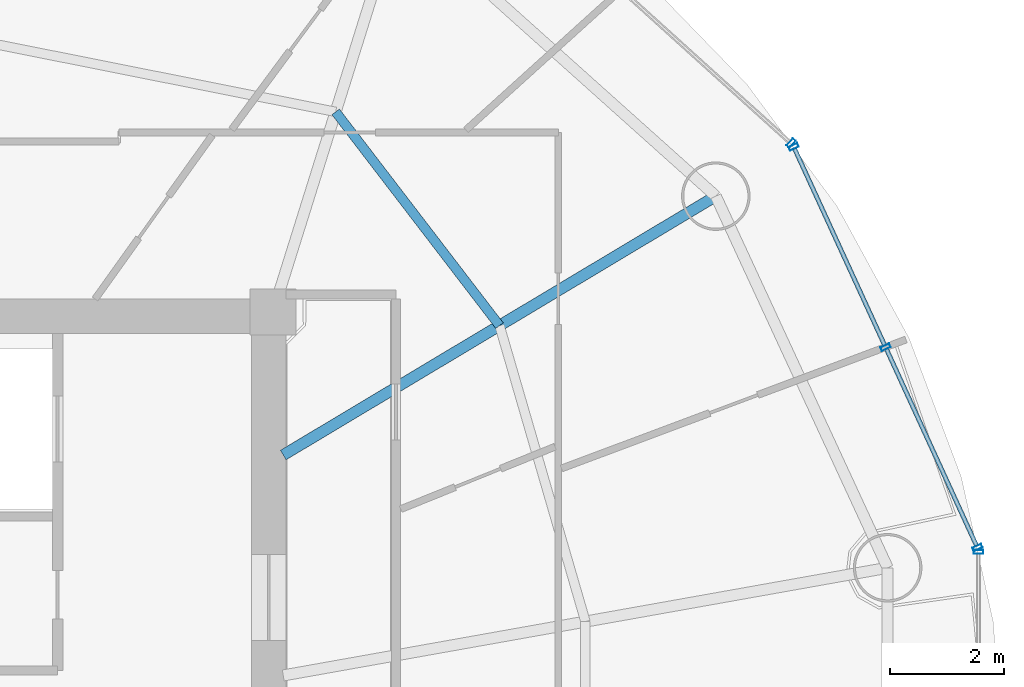
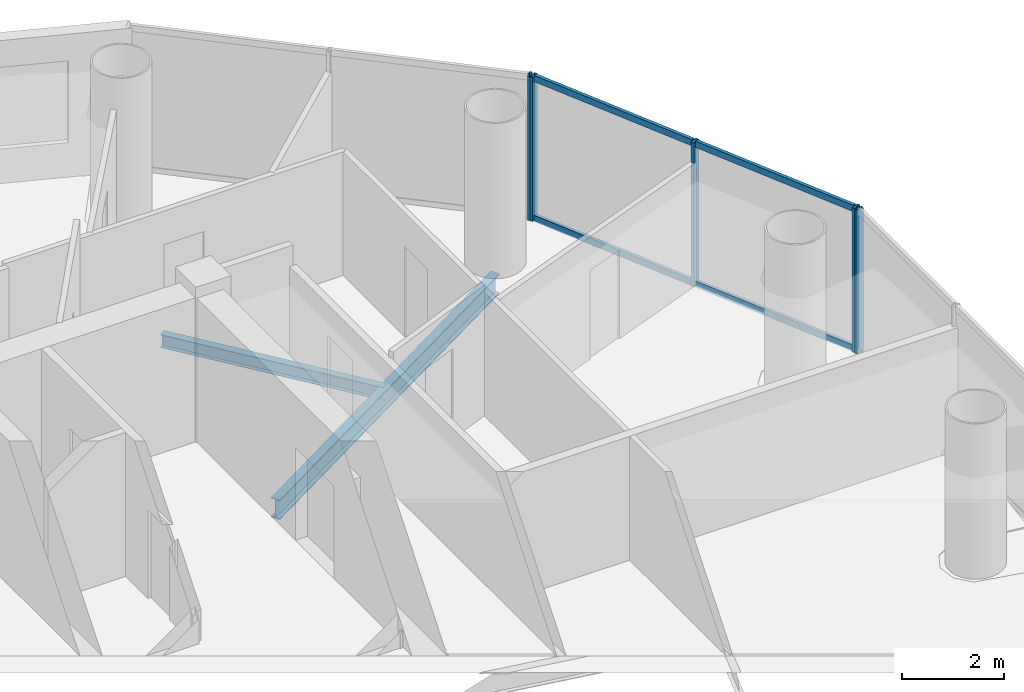
# One storey, part 13 of 26: 9 members, 2 beams, 3 elements without a shape of their own.
"""IFC4 building model written with IfcOpenShell, lengths in metres."""

from ifc_helpers import new_model, si_unit, direction, frame, origin, origin_2d, place, context, subcontext, project, spatial, hollow_rectangle, i_section, extrude, source, transform, mapped, material, material_profile, profile_set, type_object, element, aggregate, save


model = new_model("IFC4")

# Units and contexts
model_context = context("Model", 3, precision=1e-05, world=origin(), true_north=direction((-0.2419218956, 0.970295726276)))
body_context = subcontext(model_context, "Body", "Model", "MODEL_VIEW")
ifc_project = project(units=[si_unit("LENGTHUNIT", "METRE"), si_unit("AREAUNIT", "SQUARE_METRE"), si_unit("VOLUMEUNIT", "CUBIC_METRE"), si_unit("PLANEANGLEUNIT", "RADIAN"), si_unit("MASSUNIT", "GRAM", prefix="KILO")], contexts=[model_context])

# Site, building, storey
site_placement = place(None, origin())
site = spatial("IfcSite", under=ifc_project, at=site_placement, CompositionType="ELEMENT")
building_placement = place(site_placement, origin())
building = spatial("IfcBuilding", under=site, at=building_placement, Name="Cobrevalo Terracotta Tower", CompositionType="ELEMENT")
storey_placement = place(building_placement, frame((0.0, 0.0, 213.39990234375)))
storey = spatial("IfcBuildingStorey", under=building, at=storey_placement, Name="L56", CompositionType="ELEMENT", Elevation=213.39990234375)

# Beams
ifc_material_1 = material(Name="Steel S355", Category="steel")
ifc_material_profile_1 = material_profile(ifc_material_1, i_section(OverallWidth=0.194091796875, OverallDepth=0.468994140625, WebThickness=0.011474609375, FlangeThickness=0.0205078125, at=origin_2d()), Name="W 460x106")
ifc_profile_set_1 = profile_set([ifc_material_profile_1], Name="Steel S355")
beam_type_1 = type_object("IfcBeamType", Name="Structural Beam W 460x106 (Steel S355)", PredefinedType="BEAM", material=ifc_profile_set_1)
beam_1_placement = place(storey_placement, frame((54.754150390625, 36.828125, -0.49951171875), z_axis=(-0.858046392192, -0.513572184651, 0.0), x_axis=(0.513572184651, -0.858046392192, 0.0)))
element("IfcBeam", 1, at=beam_1_placement, inside=storey, type_object=beam_type_1, Name="L56 radial floor girder 02", PredefinedType="BEAM", context=body_context, shape_type="SweptSolid", body=[
    extrude(i_section(OverallWidth=0.194091796875, OverallDepth=0.468994140625, WebThickness=0.011474609375, FlangeThickness=0.0205078125, at=origin_2d()), origin(), (0.0, 0.0, 1.0), 8.827392578125),
])
ifc_material_profile_2 = material_profile(ifc_material_1, i_section(OverallWidth=0.1650390625, OverallDepth=0.31005859375, WebThickness=0.005859375, FlangeThickness=0.009765625, at=origin_2d()), Name="W 310x38.7")
ifc_profile_set_2 = profile_set([ifc_material_profile_2], Name="Steel S355")
beam_type_2 = type_object("IfcBeamType", Name="Structural Joist W 310x38.7 (Steel S355)", PredefinedType="JOIST", material=ifc_profile_set_2)
beam_2_placement = place(storey_placement, frame((50.967041015625, 34.561279296875, -0.419921875), z_axis=(-0.608464146296, 0.793581364872, 0.0), x_axis=(-0.793581364872, -0.608464146296, 0.0)))
element("IfcBeam", 2, at=beam_2_placement, inside=storey, type_object=beam_type_2, Name="L56 circumferential secondary floor joist 02", PredefinedType="JOIST", context=body_context, shape_type="SweptSolid", body=[
    extrude(i_section(OverallWidth=0.1650390625, OverallDepth=0.31005859375, WebThickness=0.005859375, FlangeThickness=0.009765625, at=origin_2d()), origin(), (0.0, 0.0, 1.0), 4.716064453125),
])

# Curtain wall, members
ifc_material_2 = material(Name="Anodized aluminium", Category="aluminium")
curtain_wall_type = type_object("IfcCurtainWallType", Name="Mid-tower high-wind unitised curtain wall CW-U2", PredefinedType="NOTDEFINED", material=ifc_material_2)
curtain_wall_1_placement = place(storey_placement, origin())
curtain_wall_1 = element("IfcCurtainWall", 3, at=curtain_wall_1_placement, inside=storey, type_object=curtain_wall_type, Name="L56 curtain wall CW-L56-S01", PredefinedType="NOTDEFINED")
ifc_material_profile_3 = material_profile(ifc_material_2, hollow_rectangle(XDim=0.074951171875, YDim=0.14990234375, WallThickness=0.00439453125, at=origin_2d()), Name="CWT 75x150")
ifc_profile_set_3 = profile_set([ifc_material_profile_3], Name="Anodized aluminium")
member_type_1 = type_object("IfcMemberType", Name="Tower unitised aluminium transom 75x150", PredefinedType="USERDEFINED", material=ifc_profile_set_3)
shared_shape_1 = source(origin(), body_context, "Body", "SweptSolid", [
    extrude(hollow_rectangle(XDim=0.074951171875, YDim=0.14990234375, WallThickness=0.00439453125, at=origin_2d()), origin(), (0.0, 0.0, 1.0), 3.780029296875),
])
member_1_placement = place(storey_placement, frame((59.318359375, 30.710205078125, 0.050048828125), z_axis=(-0.416705859352, 0.909041377926, 0.0), x_axis=(-0.909041377926, -0.416705859352, 0.0)))
member_1 = element("IfcMember", 4, at=member_1_placement, type_object=member_type_1, Name="CW-L56-S01 transom B01-T1", ObjectType="TRANSOM", PredefinedType="USERDEFINED", context=body_context, shape_type="MappedRepresentation", body=[
    mapped(shared_shape_1, transform((0.0, 0.0, 0.0), scale=1.0)),
])
member_2_placement = place(storey_placement, frame((59.318359375, 30.710205078125, 3.385009765625), z_axis=(-0.416705859352, 0.909041377926, 0.0), x_axis=(-0.909041377926, -0.416705859352, 0.0)))
member_2 = element("IfcMember", 5, at=member_2_placement, type_object=member_type_1, Name="CW-L56-S01 transom B01-T2", ObjectType="TRANSOM", PredefinedType="USERDEFINED", context=body_context, shape_type="MappedRepresentation", body=[
    mapped(shared_shape_1, transform((0.0, 0.0, 0.0), scale=1.0)),
])
member_3_placement = place(storey_placement, frame((57.709716796875, 34.218994140625, 0.050048828125), z_axis=(-0.416705859352, 0.909041377926, 0.0), x_axis=(-0.909041377926, -0.416705859352, 0.0)))
member_3 = element("IfcMember", 6, at=member_3_placement, type_object=member_type_1, Name="CW-L56-S01 transom B02-T1", ObjectType="TRANSOM", PredefinedType="USERDEFINED", context=body_context, shape_type="MappedRepresentation", body=[
    mapped(shared_shape_1, transform((0.0, 0.0, 0.0), scale=1.0)),
])
member_4_placement = place(storey_placement, frame((57.709716796875, 34.218994140625, 3.385009765625), z_axis=(-0.416705859352, 0.909041377926, 0.0), x_axis=(-0.909041377926, -0.416705859352, 0.0)))
member_4 = element("IfcMember", 7, at=member_4_placement, type_object=member_type_1, Name="CW-L56-S01 transom B02-T2", ObjectType="TRANSOM", PredefinedType="USERDEFINED", context=body_context, shape_type="MappedRepresentation", body=[
    mapped(shared_shape_1, transform((0.0, 0.0, 0.0), scale=1.0)),
])
ifc_material_profile_4 = material_profile(ifc_material_2, hollow_rectangle(XDim=0.070068359375, YDim=0.169921875, WallThickness=0.00439453125, at=origin_2d()), Name="CWM 70x170")
ifc_profile_set_4 = profile_set([ifc_material_profile_4], Name="Anodized aluminium")
member_type_2 = type_object("IfcMemberType", Name="Upper tower unitised mullion 70x170", PredefinedType="MULLION", material=ifc_profile_set_4)
shared_shape_2 = source(origin(), body_context, "Body", "SweptSolid", [
    extrude(hollow_rectangle(XDim=0.070068359375, YDim=0.169921875, WallThickness=0.00439453125, at=origin_2d()), origin(), (0.0, 0.0, 1.0), 3.43505859375),
])
member_5_placement = place(storey_placement, frame((59.3349609375, 30.673828125, 0.0), z_axis=(0.0, 0.0, 1.0), x_axis=(-0.41672507912, 0.909032567311, 0.0)))
member_5 = element("IfcMember", 8, at=member_5_placement, type_object=member_type_2, Name="CW-L56-S01 vertical mullion 01", PredefinedType="MULLION", context=body_context, shape_type="MappedRepresentation", body=[
    mapped(shared_shape_2, transform((0.0, 0.0, 0.0), scale=1.0)),
])
member_6_placement = place(storey_placement, frame((57.726318359375, 34.182861328125, 0.0), z_axis=(0.0, 0.0, 1.0), x_axis=(-0.41672507912, 0.909032567311, 0.0)))
member_6 = element("IfcMember", 9, at=member_6_placement, type_object=member_type_2, Name="CW-L56-S01 vertical mullion 02", PredefinedType="MULLION", context=body_context, shape_type="MappedRepresentation", body=[
    mapped(shared_shape_2, transform((0.0, 0.0, 0.0), scale=1.0)),
])
member_7_placement = place(storey_placement, frame((56.11767578125, 37.691650390625, 0.0), z_axis=(0.0, 0.0, 1.0), x_axis=(-0.41672507912, 0.909032567311, 0.0)))
member_7 = element("IfcMember", 10, at=member_7_placement, type_object=member_type_2, Name="CW-L56-S01 vertical mullion 03", PredefinedType="MULLION", context=body_context, shape_type="MappedRepresentation", body=[
    mapped(shared_shape_2, transform((0.0, 0.0, 0.0), scale=1.0)),
])
aggregate(curtain_wall_1, [member_5, member_6, member_7, member_1, member_2, member_3, member_4])

# Curtain wall, member
curtain_wall_2_placement = place(storey_placement, origin())
curtain_wall_2 = element("IfcCurtainWall", 11, at=curtain_wall_2_placement, inside=storey, type_object=curtain_wall_type, Name="L56 curtain wall CW-L56-S02", PredefinedType="NOTDEFINED")
member_8_placement = place(storey_placement, frame((56.071533203125, 37.7548828125, 0.0), z_axis=(0.0, 0.0, 1.0), x_axis=(-0.741987542015, 0.670413668935, 0.0)))
member_8 = element("IfcMember", 12, at=member_8_placement, type_object=member_type_2, Name="CW-L56-S02 vertical mullion 01", PredefinedType="MULLION", context=body_context, shape_type="MappedRepresentation", body=[
    mapped(shared_shape_2, transform((0.0, 0.0, 0.0), scale=1.0)),
])
aggregate(curtain_wall_2, [member_8])

curtain_wall_3_placement = place(storey_placement, origin())
curtain_wall_3 = element("IfcCurtainWall", 13, at=curtain_wall_3_placement, inside=storey, type_object=curtain_wall_type, Name="L56 curtain wall CW-L56-S16", PredefinedType="NOTDEFINED")
member_9_placement = place(storey_placement, frame((59.351806640625, 30.597412109375, 0.0), z_axis=(0.0, 0.0, 1.0), x_axis=(0.0, 1.0, 0.0)))
member_9 = element("IfcMember", 14, at=member_9_placement, type_object=member_type_2, Name="CW-L56-S16 vertical mullion 03", PredefinedType="MULLION", context=body_context, shape_type="MappedRepresentation", body=[
    mapped(shared_shape_2, transform((0.0, 0.0, 0.0), scale=1.0)),
])
aggregate(curtain_wall_3, [member_9])

save(model, "model.ifc")
